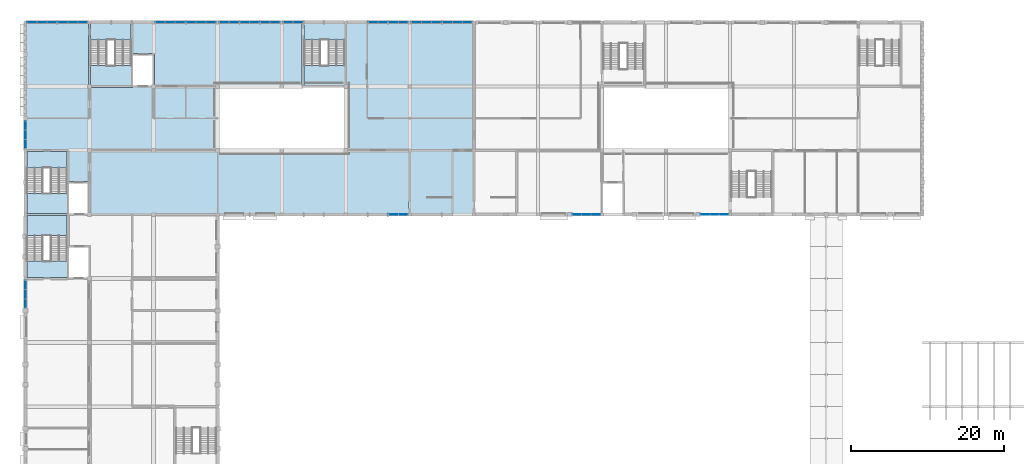
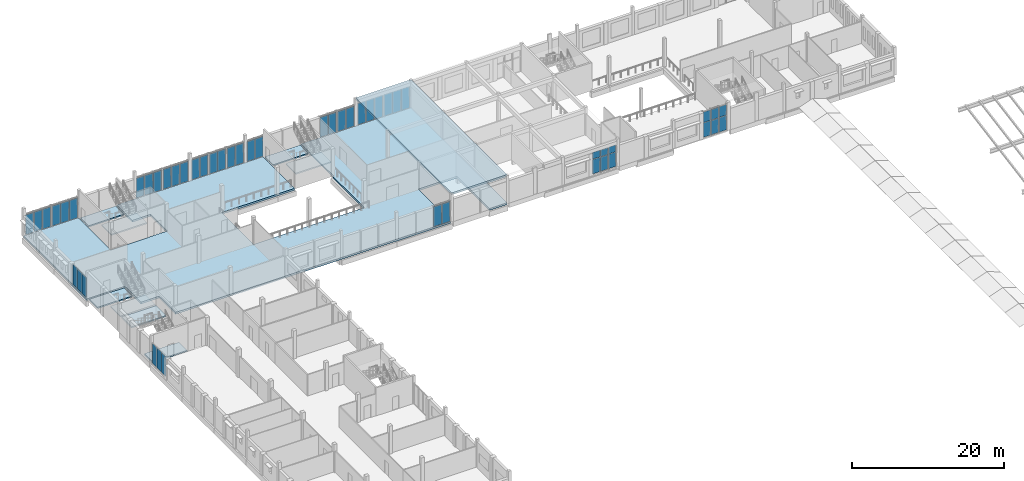
# One storey, part 21 of 38: 50 plates, 10 slabs, 21 elements without a shape of their own.
"""IFC4 building model written with IfcOpenShell, lengths in metres."""

from ifc_helpers import new_model, si_unit, direction, frame, origin, origin_2d, place, context, subcontext, project, spatial, polyline, rectangle, outline, extrude, material, layer, layer_set, type_object, element, aggregate, save


model = new_model("IFC4")

# Units and contexts
model_context = context("Model", 3, precision=1e-05, world=origin(), true_north=direction((0.0, 1.0)))
body_context = subcontext(model_context, "Body", "Model", "MODEL_VIEW")
ifc_project = project(units=[si_unit("LENGTHUNIT", "METRE"), si_unit("AREAUNIT", "SQUARE_METRE"), si_unit("VOLUMEUNIT", "CUBIC_METRE"), si_unit("PLANEANGLEUNIT", "RADIAN"), si_unit("MASSUNIT", "GRAM", prefix="KILO")], contexts=[model_context])

# Site, building, storey
site_placement = place(None, origin())
site = spatial("IfcSite", under=ifc_project, at=site_placement, CompositionType="ELEMENT")
building_placement = place(site_placement, origin())
building = spatial("IfcBuilding", under=site, at=building_placement, Name="Fescue Hill Polytechnic", CompositionType="ELEMENT")
storey_placement = place(building_placement, frame((0.0, 0.0, 18.0)))
storey = spatial("IfcBuildingStorey", under=building, at=storey_placement, Name="L04", CompositionType="ELEMENT", Elevation=18.0)

# Slab
ifc_material_1 = material(Name="Concrete 35 MPa", Category="concrete")
ifc_layer_1 = layer(ifc_material_1, 0.300048828125)
ifc_layer_set_1 = layer_set([ifc_layer_1], Name="Concrete 35 MPa")
slab_type_1 = type_object("IfcSlabType", Name="Floor slab 300", PredefinedType="FLOOR", material=ifc_layer_set_1)
slab_1_placement = place(storey_placement, frame((0.0, 0.0, -0.300048828125)))
element("IfcSlab", 1, at=slab_1_placement, inside=storey, type_object=slab_type_1, Name="SL-L04-V5-1", PredefinedType="FLOOR", context=body_context, shape_type="SweptSolid", body=[
    extrude(outline(polyline([(0.0, 134.39990234375), (8.27490234375, 134.39990234375), (8.27490234375, 125.875), (14.125, 125.875), (14.125, 125.89990234375), (16.89990234375, 125.89990234375), (16.89990234375, 130.300048828125), (14.125, 130.300048828125), (14.125, 134.39990234375), (36.27490234375, 134.39990234375), (36.27490234375, 126.0), (25.199951171875, 126.0), (25.199951171875, 117.60009765625), (42.0, 117.60009765625), (42.0, 125.875), (42.125, 125.875), (42.125, 134.39990234375), (58.800048828125, 134.39990234375), (58.800048828125, 109.199951171875), (56.125, 109.199951171875), (56.125, 117.72509765625), (50.27490234375, 117.72509765625), (50.27490234375, 109.199951171875), (8.5, 109.199951171875), (8.5, 113.5), (5.72509765625, 113.5), (5.72509765625, 117.72509765625), (0.0, 117.72509765625), (0.0, 134.39990234375)])), origin(), (0.0, 0.0, 1.0), 0.300048828125),
])

# Curtain wall, plates
ifc_material_2 = material(Name="Glass", Category="glass")
curtain_wall_type = type_object("IfcCurtainWallType", Name="Curtain wall structural glazing", PredefinedType="NOTDEFINED", material=ifc_material_2)
curtain_wall_1_placement = place(storey_placement, origin())
curtain_wall_1 = element("IfcCurtainWall", 2, at=curtain_wall_1_placement, inside=storey, type_object=curtain_wall_type, Name="CW-L04-V5-1", PredefinedType="NOTDEFINED")
ifc_layer_2 = layer(ifc_material_2, 0.028076171875)
ifc_layer_set_2 = layer_set([ifc_layer_2], Name="Glass")
plate_type = type_object("IfcPlateType", Name="Panel glazing 28", PredefinedType="CURTAIN_PANEL", material=ifc_layer_set_2)
plate_1_placement = place(storey_placement, frame((57.92822265625, 134.39990234375, 0.06005859375), z_axis=(0.0, 0.0, 1.0), x_axis=(-1.0, 0.0, 0.0)))
plate_1 = element("IfcPlate", 3, at=plate_1_placement, type_object=plate_type, Name="CW82 panel 1.1", PredefinedType="CURTAIN_PANEL", context=body_context, shape_type="SweptSolid", body=[
    extrude(rectangle(XDim=1.223388671875, YDim=0.028076171875, at=origin_2d()), origin(), (0.0, 0.0, 1.0), 3.4599609375),
])
plate_2_placement = place(storey_placement, frame((56.6298828125, 134.39990234375, 0.06005859375), z_axis=(0.0, 0.0, 1.0), x_axis=(-1.0, 0.0, 0.0)))
plate_2 = element("IfcPlate", 4, at=plate_2_placement, type_object=plate_type, Name="CW82 panel 2.1", PredefinedType="CURTAIN_PANEL", context=body_context, shape_type="SweptSolid", body=[
    extrude(rectangle(XDim=1.25341796875, YDim=0.028076171875, at=origin_2d()), origin(), (0.0, 0.0, 1.0), 3.4599609375),
])
plate_3_placement = place(storey_placement, frame((55.331787109375, 134.39990234375, 0.06005859375), z_axis=(0.0, 0.0, 1.0), x_axis=(-1.0, 0.0, 0.0)))
plate_3 = element("IfcPlate", 5, at=plate_3_placement, type_object=plate_type, Name="CW82 panel 3.1", PredefinedType="CURTAIN_PANEL", context=body_context, shape_type="SweptSolid", body=[
    extrude(rectangle(XDim=1.223388671875, YDim=0.028076171875, at=origin_2d()), origin(), (0.0, 0.0, 1.0), 3.4599609375),
])
aggregate(curtain_wall_1, [plate_1, plate_2, plate_3])

curtain_wall_2_placement = place(storey_placement, origin())
curtain_wall_2 = element("IfcCurtainWall", 6, at=curtain_wall_2_placement, inside=storey, type_object=curtain_wall_type, Name="CW-L04-V5-2", PredefinedType="NOTDEFINED")
plate_4_placement = place(storey_placement, frame((53.868408203125, 134.39990234375, 0.06005859375), z_axis=(0.0, 0.0, 1.0), x_axis=(-1.0, 0.0, 0.0)))
plate_4 = element("IfcPlate", 7, at=plate_4_placement, type_object=plate_type, Name="CW83 panel 1.1", PredefinedType="CURTAIN_PANEL", context=body_context, shape_type="SweptSolid", body=[
    extrude(rectangle(XDim=1.223388671875, YDim=0.028076171875, at=origin_2d()), origin(), (0.0, 0.0, 1.0), 3.4599609375),
])
plate_5_placement = place(storey_placement, frame((52.570068359375, 134.39990234375, 0.06005859375), z_axis=(0.0, 0.0, 1.0), x_axis=(-1.0, 0.0, 0.0)))
plate_5 = element("IfcPlate", 8, at=plate_5_placement, type_object=plate_type, Name="CW83 panel 2.1", PredefinedType="CURTAIN_PANEL", context=body_context, shape_type="SweptSolid", body=[
    extrude(rectangle(XDim=1.25341796875, YDim=0.028076171875, at=origin_2d()), origin(), (0.0, 0.0, 1.0), 3.4599609375),
])
plate_6_placement = place(storey_placement, frame((51.271728515625, 134.39990234375, 0.06005859375), z_axis=(0.0, 0.0, 1.0), x_axis=(-1.0, 0.0, 0.0)))
plate_6 = element("IfcPlate", 9, at=plate_6_placement, type_object=plate_type, Name="CW83 panel 3.1", PredefinedType="CURTAIN_PANEL", context=body_context, shape_type="SweptSolid", body=[
    extrude(rectangle(XDim=1.223388671875, YDim=0.028076171875, at=origin_2d()), origin(), (0.0, 0.0, 1.0), 3.4599609375),
])
aggregate(curtain_wall_2, [plate_4, plate_5, plate_6])

curtain_wall_3_placement = place(storey_placement, origin())
curtain_wall_3 = element("IfcCurtainWall", 10, at=curtain_wall_3_placement, inside=storey, type_object=curtain_wall_type, Name="CW-L04-V5-3", PredefinedType="NOTDEFINED")
plate_7_placement = place(storey_placement, frame((49.533203125, 134.39990234375, 0.06005859375), z_axis=(0.0, 0.0, 1.0), x_axis=(-1.0, 0.0, 0.0)))
plate_7 = element("IfcPlate", 11, at=plate_7_placement, type_object=plate_type, Name="CW84 panel 1.1", PredefinedType="CURTAIN_PANEL", context=body_context, shape_type="SweptSolid", body=[
    extrude(rectangle(XDim=1.21337890625, YDim=0.028076171875, at=origin_2d()), origin(), (0.0, 0.0, 1.0), 3.2099609375),
])
plate_8_placement = place(storey_placement, frame((48.260009765625, 134.39990234375, 0.06005859375), z_axis=(0.0, 0.0, 1.0), x_axis=(-1.0, 0.0, 0.0)))
plate_8 = element("IfcPlate", 12, at=plate_8_placement, type_object=plate_type, Name="CW84 panel 2.1", PredefinedType="CURTAIN_PANEL", context=body_context, shape_type="SweptSolid", body=[
    extrude(rectangle(XDim=1.21337890625, YDim=0.028076171875, at=origin_2d()), origin(), (0.0, 0.0, 1.0), 3.2099609375),
])
aggregate(curtain_wall_3, [plate_7, plate_8])

curtain_wall_4_placement = place(storey_placement, origin())
curtain_wall_4 = element("IfcCurtainWall", 13, at=curtain_wall_4_placement, inside=storey, type_object=curtain_wall_type, Name="CW-L04-V5-4", PredefinedType="NOTDEFINED")
plate_9_placement = place(storey_placement, frame((46.821533203125, 134.39990234375, 0.06005859375), z_axis=(0.0, 0.0, 1.0), x_axis=(-1.0, 0.0, 0.0)))
plate_9 = element("IfcPlate", 14, at=plate_9_placement, type_object=plate_type, Name="CW85 panel 1.1", PredefinedType="CURTAIN_PANEL", context=body_context, shape_type="SweptSolid", body=[
    extrude(rectangle(XDim=1.183349609375, YDim=0.028076171875, at=origin_2d()), origin(), (0.0, 0.0, 1.0), 3.2099609375),
])
plate_10_placement = place(storey_placement, frame((45.578369140625, 134.39990234375, 0.06005859375), z_axis=(0.0, 0.0, 1.0), x_axis=(-1.0, 0.0, 0.0)))
plate_10 = element("IfcPlate", 15, at=plate_10_placement, type_object=plate_type, Name="CW85 panel 2.1", PredefinedType="CURTAIN_PANEL", context=body_context, shape_type="SweptSolid", body=[
    extrude(rectangle(XDim=1.183349609375, YDim=0.028076171875, at=origin_2d()), origin(), (0.0, 0.0, 1.0), 3.2099609375),
])
aggregate(curtain_wall_4, [plate_9, plate_10])

curtain_wall_5_placement = place(storey_placement, origin())
curtain_wall_5 = element("IfcCurtainWall", 16, at=curtain_wall_5_placement, inside=storey, type_object=curtain_wall_type, Name="CW-L04-V5-5", PredefinedType="NOTDEFINED")
plate_11_placement = place(storey_placement, frame((32.7333984375, 134.39990234375, 0.06005859375), z_axis=(0.0, 0.0, 1.0), x_axis=(-1.0, 0.0, 0.0)))
plate_11 = element("IfcPlate", 17, at=plate_11_placement, type_object=plate_type, Name="CW86 panel 1.1", PredefinedType="CURTAIN_PANEL", context=body_context, shape_type="SweptSolid", body=[
    extrude(rectangle(XDim=1.21337890625, YDim=0.028076171875, at=origin_2d()), origin(), (0.0, 0.0, 1.0), 3.2099609375),
])
plate_12_placement = place(storey_placement, frame((31.4599609375, 134.39990234375, 0.06005859375), z_axis=(0.0, 0.0, 1.0), x_axis=(-1.0, 0.0, 0.0)))
plate_12 = element("IfcPlate", 18, at=plate_12_placement, type_object=plate_type, Name="CW86 panel 2.1", PredefinedType="CURTAIN_PANEL", context=body_context, shape_type="SweptSolid", body=[
    extrude(rectangle(XDim=1.21337890625, YDim=0.028076171875, at=origin_2d()), origin(), (0.0, 0.0, 1.0), 3.2099609375),
])
aggregate(curtain_wall_5, [plate_11, plate_12])

curtain_wall_6_placement = place(storey_placement, origin())
curtain_wall_6 = element("IfcCurtainWall", 19, at=curtain_wall_6_placement, inside=storey, type_object=curtain_wall_type, Name="CW-L04-V5-6", PredefinedType="NOTDEFINED")
plate_13_placement = place(storey_placement, frame((30.021728515625, 134.39990234375, 0.06005859375), z_axis=(0.0, 0.0, 1.0), x_axis=(-1.0, 0.0, 0.0)))
plate_13 = element("IfcPlate", 20, at=plate_13_placement, type_object=plate_type, Name="CW87 panel 1.1", PredefinedType="CURTAIN_PANEL", context=body_context, shape_type="SweptSolid", body=[
    extrude(rectangle(XDim=1.183349609375, YDim=0.028076171875, at=origin_2d()), origin(), (0.0, 0.0, 1.0), 3.2099609375),
])
plate_14_placement = place(storey_placement, frame((28.7783203125, 134.39990234375, 0.06005859375), z_axis=(0.0, 0.0, 1.0), x_axis=(-1.0, 0.0, 0.0)))
plate_14 = element("IfcPlate", 21, at=plate_14_placement, type_object=plate_type, Name="CW87 panel 2.1", PredefinedType="CURTAIN_PANEL", context=body_context, shape_type="SweptSolid", body=[
    extrude(rectangle(XDim=1.183349609375, YDim=0.028076171875, at=origin_2d()), origin(), (0.0, 0.0, 1.0), 3.2099609375),
])
aggregate(curtain_wall_6, [plate_13, plate_14])

curtain_wall_7_placement = place(storey_placement, origin())
curtain_wall_7 = element("IfcCurtainWall", 22, at=curtain_wall_7_placement, inside=storey, type_object=curtain_wall_type, Name="CW-L04-V5-7", PredefinedType="NOTDEFINED")
plate_15_placement = place(storey_placement, frame((27.340087890625, 134.39990234375, 0.06005859375), z_axis=(0.0, 0.0, 1.0), x_axis=(-1.0, 0.0, 0.0)))
plate_15 = element("IfcPlate", 23, at=plate_15_placement, type_object=plate_type, Name="CW88 panel 1.1", PredefinedType="CURTAIN_PANEL", context=body_context, shape_type="SweptSolid", body=[
    extrude(rectangle(XDim=1.21337890625, YDim=0.028076171875, at=origin_2d()), origin(), (0.0, 0.0, 1.0), 3.2099609375),
])
plate_16_placement = place(storey_placement, frame((26.066650390625, 134.39990234375, 0.06005859375), z_axis=(0.0, 0.0, 1.0), x_axis=(-1.0, 0.0, 0.0)))
plate_16 = element("IfcPlate", 24, at=plate_16_placement, type_object=plate_type, Name="CW88 panel 2.1", PredefinedType="CURTAIN_PANEL", context=body_context, shape_type="SweptSolid", body=[
    extrude(rectangle(XDim=1.21337890625, YDim=0.028076171875, at=origin_2d()), origin(), (0.0, 0.0, 1.0), 3.2099609375),
])
aggregate(curtain_wall_7, [plate_15, plate_16])

curtain_wall_8_placement = place(storey_placement, origin())
curtain_wall_8 = element("IfcCurtainWall", 25, at=curtain_wall_8_placement, inside=storey, type_object=curtain_wall_type, Name="CW-L04-V5-8", PredefinedType="NOTDEFINED")
plate_17_placement = place(storey_placement, frame((24.328369140625, 134.39990234375, 0.06005859375), z_axis=(0.0, 0.0, 1.0), x_axis=(-1.0, 0.0, 0.0)))
plate_17 = element("IfcPlate", 26, at=plate_17_placement, type_object=plate_type, Name="CW89 panel 1.1", PredefinedType="CURTAIN_PANEL", context=body_context, shape_type="SweptSolid", body=[
    extrude(rectangle(XDim=1.223388671875, YDim=0.028076171875, at=origin_2d()), origin(), (0.0, 0.0, 1.0), 3.2099609375),
])
plate_18_placement = place(storey_placement, frame((23.030029296875, 134.39990234375, 0.06005859375), z_axis=(0.0, 0.0, 1.0), x_axis=(-1.0, 0.0, 0.0)))
plate_18 = element("IfcPlate", 27, at=plate_18_placement, type_object=plate_type, Name="CW89 panel 2.1", PredefinedType="CURTAIN_PANEL", context=body_context, shape_type="SweptSolid", body=[
    extrude(rectangle(XDim=1.25341796875, YDim=0.028076171875, at=origin_2d()), origin(), (0.0, 0.0, 1.0), 3.2099609375),
])
plate_19_placement = place(storey_placement, frame((21.731689453125, 134.39990234375, 0.06005859375), z_axis=(0.0, 0.0, 1.0), x_axis=(-1.0, 0.0, 0.0)))
plate_19 = element("IfcPlate", 28, at=plate_19_placement, type_object=plate_type, Name="CW89 panel 3.1", PredefinedType="CURTAIN_PANEL", context=body_context, shape_type="SweptSolid", body=[
    extrude(rectangle(XDim=1.223388671875, YDim=0.028076171875, at=origin_2d()), origin(), (0.0, 0.0, 1.0), 3.2099609375),
])
aggregate(curtain_wall_8, [plate_17, plate_18, plate_19])

curtain_wall_9_placement = place(storey_placement, origin())
curtain_wall_9 = element("IfcCurtainWall", 29, at=curtain_wall_9_placement, inside=storey, type_object=curtain_wall_type, Name="CW-L04-V5-9", PredefinedType="NOTDEFINED")
plate_20_placement = place(storey_placement, frame((20.268310546875, 134.39990234375, 0.06005859375), z_axis=(0.0, 0.0, 1.0), x_axis=(-1.0, 0.0, 0.0)))
plate_20 = element("IfcPlate", 30, at=plate_20_placement, type_object=plate_type, Name="CW90 panel 1.1", PredefinedType="CURTAIN_PANEL", context=body_context, shape_type="SweptSolid", body=[
    extrude(rectangle(XDim=1.223388671875, YDim=0.028076171875, at=origin_2d()), origin(), (0.0, 0.0, 1.0), 3.2099609375),
])
plate_21_placement = place(storey_placement, frame((18.969970703125, 134.39990234375, 0.06005859375), z_axis=(0.0, 0.0, 1.0), x_axis=(-1.0, 0.0, 0.0)))
plate_21 = element("IfcPlate", 31, at=plate_21_placement, type_object=plate_type, Name="CW90 panel 2.1", PredefinedType="CURTAIN_PANEL", context=body_context, shape_type="SweptSolid", body=[
    extrude(rectangle(XDim=1.25341796875, YDim=0.028076171875, at=origin_2d()), origin(), (0.0, 0.0, 1.0), 3.2099609375),
])
plate_22_placement = place(storey_placement, frame((17.671630859375, 134.39990234375, 0.06005859375), z_axis=(0.0, 0.0, 1.0), x_axis=(-1.0, 0.0, 0.0)))
plate_22 = element("IfcPlate", 32, at=plate_22_placement, type_object=plate_type, Name="CW90 panel 3.1", PredefinedType="CURTAIN_PANEL", context=body_context, shape_type="SweptSolid", body=[
    extrude(rectangle(XDim=1.223388671875, YDim=0.028076171875, at=origin_2d()), origin(), (0.0, 0.0, 1.0), 3.2099609375),
])
aggregate(curtain_wall_9, [plate_20, plate_21, plate_22])

curtain_wall_10_placement = place(storey_placement, origin())
curtain_wall_10 = element("IfcCurtainWall", 33, at=curtain_wall_10_placement, inside=storey, type_object=curtain_wall_type, Name="CW-L04-V5-10", PredefinedType="NOTDEFINED")
plate_23_placement = place(storey_placement, frame((3.46826171875, 134.39990234375, 0.06005859375), z_axis=(0.0, 0.0, 1.0), x_axis=(-1.0, 0.0, 0.0)))
plate_23 = element("IfcPlate", 34, at=plate_23_placement, type_object=plate_type, Name="CW91 panel 1.1", PredefinedType="CURTAIN_PANEL", context=body_context, shape_type="SweptSolid", body=[
    extrude(rectangle(XDim=1.223388671875, YDim=0.028076171875, at=origin_2d()), origin(), (0.0, 0.0, 1.0), 3.2099609375),
])
plate_24_placement = place(storey_placement, frame((2.169921875, 134.39990234375, 0.06005859375), z_axis=(0.0, 0.0, 1.0), x_axis=(-1.0, 0.0, 0.0)))
plate_24 = element("IfcPlate", 35, at=plate_24_placement, type_object=plate_type, Name="CW91 panel 2.1", PredefinedType="CURTAIN_PANEL", context=body_context, shape_type="SweptSolid", body=[
    extrude(rectangle(XDim=1.25341796875, YDim=0.028076171875, at=origin_2d()), origin(), (0.0, 0.0, 1.0), 3.2099609375),
])
plate_25_placement = place(storey_placement, frame((0.87158203125, 134.39990234375, 0.06005859375), z_axis=(0.0, 0.0, 1.0), x_axis=(-1.0, 0.0, 0.0)))
plate_25 = element("IfcPlate", 36, at=plate_25_placement, type_object=plate_type, Name="CW91 panel 3.1", PredefinedType="CURTAIN_PANEL", context=body_context, shape_type="SweptSolid", body=[
    extrude(rectangle(XDim=1.223388671875, YDim=0.028076171875, at=origin_2d()), origin(), (0.0, 0.0, 1.0), 3.2099609375),
])
aggregate(curtain_wall_10, [plate_23, plate_24, plate_25])

curtain_wall_11_placement = place(storey_placement, origin())
curtain_wall_11 = element("IfcCurtainWall", 37, at=curtain_wall_11_placement, inside=storey, type_object=curtain_wall_type, Name="CW-L04-V4-X2", PredefinedType="NOTDEFINED")
plate_26_placement = place(storey_placement, frame((0.0, 99.96826171875, 0.06005859375), z_axis=(0.0, 0.0, 1.0), x_axis=(0.0, -1.0, 0.0)))
plate_26 = element("IfcPlate", 38, at=plate_26_placement, type_object=plate_type, Name="CW130 panel 1.1", PredefinedType="CURTAIN_PANEL", context=body_context, shape_type="SweptSolid", body=[
    extrude(rectangle(XDim=1.143310546875, YDim=0.028076171875, at=origin_2d()), origin(), (0.0, 0.0, 1.0), 3.2099609375),
])
plate_27_placement = place(storey_placement, frame((0.0, 98.75, 0.06005859375), z_axis=(0.0, 0.0, 1.0), x_axis=(0.0, -1.0, 0.0)))
plate_27 = element("IfcPlate", 39, at=plate_27_placement, type_object=plate_type, Name="CW130 panel 2.1", PredefinedType="CURTAIN_PANEL", context=body_context, shape_type="SweptSolid", body=[
    extrude(rectangle(XDim=1.17333984375, YDim=0.028076171875, at=origin_2d()), origin(), (0.0, 0.0, 1.0), 3.2099609375),
])
plate_28_placement = place(storey_placement, frame((0.0, 97.53173828125, 0.06005859375), z_axis=(0.0, 0.0, 1.0), x_axis=(0.0, -1.0, 0.0)))
plate_28 = element("IfcPlate", 40, at=plate_28_placement, type_object=plate_type, Name="CW130 panel 3.1", PredefinedType="CURTAIN_PANEL", context=body_context, shape_type="SweptSolid", body=[
    extrude(rectangle(XDim=1.143310546875, YDim=0.028076171875, at=origin_2d()), origin(), (0.0, 0.0, 1.0), 3.2099609375),
])
aggregate(curtain_wall_11, [plate_26, plate_27, plate_28])

curtain_wall_12_placement = place(storey_placement, origin())
curtain_wall_12 = element("IfcCurtainWall", 41, at=curtain_wall_12_placement, inside=storey, type_object=curtain_wall_type, Name="CW-L04-V5-X1", PredefinedType="NOTDEFINED")
plate_29_placement = place(storey_placement, frame((0.0, 120.868408203125, 0.06005859375), z_axis=(0.0, 0.0, 1.0), x_axis=(0.0, -1.0, 0.0)))
plate_29 = element("IfcPlate", 42, at=plate_29_placement, type_object=plate_type, Name="CW147 panel 1.1", PredefinedType="CURTAIN_PANEL", context=body_context, shape_type="SweptSolid", body=[
    extrude(rectangle(XDim=1.143310546875, YDim=0.028076171875, at=origin_2d()), origin(), (0.0, 0.0, 1.0), 3.2099609375),
])
plate_30_placement = place(storey_placement, frame((0.0, 119.64990234375, 0.06005859375), z_axis=(0.0, 0.0, 1.0), x_axis=(0.0, -1.0, 0.0)))
plate_30 = element("IfcPlate", 43, at=plate_30_placement, type_object=plate_type, Name="CW147 panel 2.1", PredefinedType="CURTAIN_PANEL", context=body_context, shape_type="SweptSolid", body=[
    extrude(rectangle(XDim=1.17333984375, YDim=0.028076171875, at=origin_2d()), origin(), (0.0, 0.0, 1.0), 3.2099609375),
])
plate_31_placement = place(storey_placement, frame((0.0, 118.431640625, 0.06005859375), z_axis=(0.0, 0.0, 1.0), x_axis=(0.0, -1.0, 0.0)))
plate_31 = element("IfcPlate", 44, at=plate_31_placement, type_object=plate_type, Name="CW147 panel 3.1", PredefinedType="CURTAIN_PANEL", context=body_context, shape_type="SweptSolid", body=[
    extrude(rectangle(XDim=1.143310546875, YDim=0.028076171875, at=origin_2d()), origin(), (0.0, 0.0, 1.0), 3.2099609375),
])
aggregate(curtain_wall_12, [plate_29, plate_30, plate_31])

curtain_wall_13_placement = place(storey_placement, origin())
curtain_wall_13 = element("IfcCurtainWall", 45, at=curtain_wall_13_placement, inside=storey, type_object=curtain_wall_type, Name="CW-L04-V5-X2", PredefinedType="NOTDEFINED")
plate_32_placement = place(storey_placement, frame((35.739990234375, 134.39990234375, 0.06005859375), z_axis=(0.0, 0.0, 1.0), x_axis=(-1.0, 0.0, 0.0)))
plate_32 = element("IfcPlate", 46, at=plate_32_placement, type_object=plate_type, Name="CW153 panel 1.1", PredefinedType="CURTAIN_PANEL", context=body_context, shape_type="SweptSolid", body=[
    extrude(rectangle(XDim=1.21337890625, YDim=0.028076171875, at=origin_2d()), origin(), (0.0, 0.0, 1.0), 3.2099609375),
])
plate_33_placement = place(storey_placement, frame((34.466796875, 134.39990234375, 0.06005859375), z_axis=(0.0, 0.0, 1.0), x_axis=(-1.0, 0.0, 0.0)))
plate_33 = element("IfcPlate", 47, at=plate_33_placement, type_object=plate_type, Name="CW153 panel 2.1", PredefinedType="CURTAIN_PANEL", context=body_context, shape_type="SweptSolid", body=[
    extrude(rectangle(XDim=1.21337890625, YDim=0.028076171875, at=origin_2d()), origin(), (0.0, 0.0, 1.0), 3.2099609375),
])
aggregate(curtain_wall_13, [plate_32, plate_33])

curtain_wall_14_placement = place(storey_placement, origin())
curtain_wall_14 = element("IfcCurtainWall", 48, at=curtain_wall_14_placement, inside=storey, type_object=curtain_wall_type, Name="CW-L04-V5-X3", PredefinedType="NOTDEFINED")
plate_34_placement = place(storey_placement, frame((7.5283203125, 134.39990234375, 0.06005859375), z_axis=(0.0, 0.0, 1.0), x_axis=(-1.0, 0.0, 0.0)))
plate_34 = element("IfcPlate", 49, at=plate_34_placement, type_object=plate_type, Name="CW159 panel 1.1", PredefinedType="CURTAIN_PANEL", context=body_context, shape_type="SweptSolid", body=[
    extrude(rectangle(XDim=1.223388671875, YDim=0.028076171875, at=origin_2d()), origin(), (0.0, 0.0, 1.0), 3.2099609375),
])
plate_35_placement = place(storey_placement, frame((6.22998046875, 134.39990234375, 0.06005859375), z_axis=(0.0, 0.0, 1.0), x_axis=(-1.0, 0.0, 0.0)))
plate_35 = element("IfcPlate", 50, at=plate_35_placement, type_object=plate_type, Name="CW159 panel 2.1", PredefinedType="CURTAIN_PANEL", context=body_context, shape_type="SweptSolid", body=[
    extrude(rectangle(XDim=1.25341796875, YDim=0.028076171875, at=origin_2d()), origin(), (0.0, 0.0, 1.0), 3.2099609375),
])
plate_36_placement = place(storey_placement, frame((4.931640625, 134.39990234375, 0.06005859375), z_axis=(0.0, 0.0, 1.0), x_axis=(-1.0, 0.0, 0.0)))
plate_36 = element("IfcPlate", 51, at=plate_36_placement, type_object=plate_type, Name="CW159 panel 3.1", PredefinedType="CURTAIN_PANEL", context=body_context, shape_type="SweptSolid", body=[
    extrude(rectangle(XDim=1.223388671875, YDim=0.028076171875, at=origin_2d()), origin(), (0.0, 0.0, 1.0), 3.2099609375),
])
aggregate(curtain_wall_14, [plate_34, plate_35, plate_36])

curtain_wall_15_placement = place(storey_placement, origin())
curtain_wall_15 = element("IfcCurtainWall", 52, at=curtain_wall_15_placement, inside=storey, type_object=curtain_wall_type, Name="CW-L04-V5-X4", PredefinedType="NOTDEFINED")
plate_37_placement = place(storey_placement, frame((48.260009765625, 109.199951171875, 0.06005859375), z_axis=(0.0, 0.0, 1.0), x_axis=(1.0, 0.0, 0.0)))
plate_37 = element("IfcPlate", 53, at=plate_37_placement, type_object=plate_type, Name="CW165 panel 1.1", PredefinedType="CURTAIN_PANEL", context=body_context, shape_type="SweptSolid", body=[
    extrude(rectangle(XDim=1.21337890625, YDim=0.028076171875, at=origin_2d()), origin(), (0.0, 0.0, 1.0), 3.2099609375),
])
plate_38_placement = place(storey_placement, frame((49.533203125, 109.199951171875, 0.06005859375), z_axis=(0.0, 0.0, 1.0), x_axis=(1.0, 0.0, 0.0)))
plate_38 = element("IfcPlate", 54, at=plate_38_placement, type_object=plate_type, Name="CW165 panel 2.1", PredefinedType="CURTAIN_PANEL", context=body_context, shape_type="SweptSolid", body=[
    extrude(rectangle(XDim=1.21337890625, YDim=0.028076171875, at=origin_2d()), origin(), (0.0, 0.0, 1.0), 3.2099609375),
])
aggregate(curtain_wall_15, [plate_37, plate_38])

curtain_wall_16_placement = place(storey_placement, origin())
curtain_wall_16 = element("IfcCurtainWall", 55, at=curtain_wall_16_placement, inside=storey, type_object=curtain_wall_type, Name="CW-L04-V4b-X2", PredefinedType="NOTDEFINED")
plate_39_placement = place(storey_placement, frame((89.131591796875, 109.199951171875, 0.06005859375), z_axis=(0.0, 0.0, 1.0), x_axis=(1.0, 0.0, 0.0)))
plate_39 = element("IfcPlate", 56, at=plate_39_placement, type_object=plate_type, Name="CW172 panel 1.1", PredefinedType="CURTAIN_PANEL", context=body_context, shape_type="SweptSolid", body=[
    extrude(rectangle(XDim=1.143310546875, YDim=0.028076171875, at=origin_2d()), origin(), (0.0, 0.0, 1.0), 2.31005859375),
])
plate_40_placement = place(storey_placement, frame((89.131591796875, 109.199951171875, 2.429931640625), z_axis=(0.0, 0.0, 1.0), x_axis=(1.0, 0.0, 0.0)))
plate_40 = element("IfcPlate", 57, at=plate_40_placement, type_object=plate_type, Name="CW172 panel 1.2", PredefinedType="CURTAIN_PANEL", context=body_context, shape_type="SweptSolid", body=[
    extrude(rectangle(XDim=1.143310546875, YDim=0.028076171875, at=origin_2d()), origin(), (0.0, 0.0, 1.0), 1.68994140625),
])
plate_41_placement = place(storey_placement, frame((90.35009765625, 109.199951171875, 0.06005859375), z_axis=(0.0, 0.0, 1.0), x_axis=(1.0, 0.0, 0.0)))
plate_41 = element("IfcPlate", 58, at=plate_41_placement, type_object=plate_type, Name="CW172 panel 2.1", PredefinedType="CURTAIN_PANEL", context=body_context, shape_type="SweptSolid", body=[
    extrude(rectangle(XDim=1.17333984375, YDim=0.028076171875, at=origin_2d()), origin(), (0.0, 0.0, 1.0), 2.31005859375),
])
plate_42_placement = place(storey_placement, frame((90.35009765625, 109.199951171875, 2.429931640625), z_axis=(0.0, 0.0, 1.0), x_axis=(1.0, 0.0, 0.0)))
plate_42 = element("IfcPlate", 59, at=plate_42_placement, type_object=plate_type, Name="CW172 panel 2.2", PredefinedType="CURTAIN_PANEL", context=body_context, shape_type="SweptSolid", body=[
    extrude(rectangle(XDim=1.17333984375, YDim=0.028076171875, at=origin_2d()), origin(), (0.0, 0.0, 1.0), 1.68994140625),
])
plate_43_placement = place(storey_placement, frame((91.568359375, 109.199951171875, 0.06005859375), z_axis=(0.0, 0.0, 1.0), x_axis=(1.0, 0.0, 0.0)))
plate_43 = element("IfcPlate", 60, at=plate_43_placement, type_object=plate_type, Name="CW172 panel 3.1", PredefinedType="CURTAIN_PANEL", context=body_context, shape_type="SweptSolid", body=[
    extrude(rectangle(XDim=1.143310546875, YDim=0.028076171875, at=origin_2d()), origin(), (0.0, 0.0, 1.0), 2.31005859375),
])
plate_44_placement = place(storey_placement, frame((91.568359375, 109.199951171875, 2.429931640625), z_axis=(0.0, 0.0, 1.0), x_axis=(1.0, 0.0, 0.0)))
plate_44 = element("IfcPlate", 61, at=plate_44_placement, type_object=plate_type, Name="CW172 panel 3.2", PredefinedType="CURTAIN_PANEL", context=body_context, shape_type="SweptSolid", body=[
    extrude(rectangle(XDim=1.143310546875, YDim=0.028076171875, at=origin_2d()), origin(), (0.0, 0.0, 1.0), 1.68994140625),
])
aggregate(curtain_wall_16, [plate_39, plate_40, plate_41, plate_42, plate_43, plate_44])

curtain_wall_17_placement = place(storey_placement, origin())
curtain_wall_17 = element("IfcCurtainWall", 62, at=curtain_wall_17_placement, inside=storey, type_object=curtain_wall_type, Name="CW-L04-V4b-X4", PredefinedType="NOTDEFINED")
plate_45_placement = place(storey_placement, frame((72.331787109375, 109.199951171875, 0.06005859375), z_axis=(0.0, 0.0, 1.0), x_axis=(1.0, 0.0, 0.0)))
plate_45 = element("IfcPlate", 63, at=plate_45_placement, type_object=plate_type, Name="CW178 panel 1.1", PredefinedType="CURTAIN_PANEL", context=body_context, shape_type="SweptSolid", body=[
    extrude(rectangle(XDim=1.143310546875, YDim=0.028076171875, at=origin_2d()), origin(), (0.0, 0.0, 1.0), 2.31005859375),
])
plate_46_placement = place(storey_placement, frame((72.331787109375, 109.199951171875, 2.43017578125), z_axis=(0.0, 0.0, 1.0), x_axis=(1.0, 0.0, 0.0)))
plate_46 = element("IfcPlate", 64, at=plate_46_placement, type_object=plate_type, Name="CW178 panel 1.2", PredefinedType="CURTAIN_PANEL", context=body_context, shape_type="SweptSolid", body=[
    extrude(rectangle(XDim=1.143310546875, YDim=0.028076171875, at=origin_2d()), origin(), (0.0, 0.0, 1.0), 1.090087890625),
])
plate_47_placement = place(storey_placement, frame((73.550048828125, 109.199951171875, 0.06005859375), z_axis=(0.0, 0.0, 1.0), x_axis=(1.0, 0.0, 0.0)))
plate_47 = element("IfcPlate", 65, at=plate_47_placement, type_object=plate_type, Name="CW178 panel 2.1", PredefinedType="CURTAIN_PANEL", context=body_context, shape_type="SweptSolid", body=[
    extrude(rectangle(XDim=1.17333984375, YDim=0.028076171875, at=origin_2d()), origin(), (0.0, 0.0, 1.0), 2.31005859375),
])
plate_48_placement = place(storey_placement, frame((73.550048828125, 109.199951171875, 2.43017578125), z_axis=(0.0, 0.0, 1.0), x_axis=(1.0, 0.0, 0.0)))
plate_48 = element("IfcPlate", 66, at=plate_48_placement, type_object=plate_type, Name="CW178 panel 2.2", PredefinedType="CURTAIN_PANEL", context=body_context, shape_type="SweptSolid", body=[
    extrude(rectangle(XDim=1.17333984375, YDim=0.028076171875, at=origin_2d()), origin(), (0.0, 0.0, 1.0), 1.090087890625),
])
plate_49_placement = place(storey_placement, frame((74.768310546875, 109.199951171875, 0.06005859375), z_axis=(0.0, 0.0, 1.0), x_axis=(1.0, 0.0, 0.0)))
plate_49 = element("IfcPlate", 67, at=plate_49_placement, type_object=plate_type, Name="CW178 panel 3.1", PredefinedType="CURTAIN_PANEL", context=body_context, shape_type="SweptSolid", body=[
    extrude(rectangle(XDim=1.143310546875, YDim=0.028076171875, at=origin_2d()), origin(), (0.0, 0.0, 1.0), 2.31005859375),
])
plate_50_placement = place(storey_placement, frame((74.768310546875, 109.199951171875, 2.43017578125), z_axis=(0.0, 0.0, 1.0), x_axis=(1.0, 0.0, 0.0)))
plate_50 = element("IfcPlate", 68, at=plate_50_placement, type_object=plate_type, Name="CW178 panel 3.2", PredefinedType="CURTAIN_PANEL", context=body_context, shape_type="SweptSolid", body=[
    extrude(rectangle(XDim=1.143310546875, YDim=0.028076171875, at=origin_2d()), origin(), (0.0, 0.0, 1.0), 1.090087890625),
])
aggregate(curtain_wall_17, [plate_45, plate_46, plate_47, plate_48, plate_49, plate_50])

# Slab
ifc_layer_3 = layer(ifc_material_1, 0.300048828125)
ifc_layer_set_3 = layer_set([ifc_layer_3], Name="Concrete 35 MPa")
slab_type_2 = type_object("IfcSlabType", Name="Roof slab 300", PredefinedType="ROOF", material=ifc_layer_set_3)
slab_2_placement = place(storey_placement, frame((0.0, 0.0, 4.199951171875)))
element("IfcSlab", 69, at=slab_2_placement, inside=storey, type_object=slab_type_2, Name="RF-L04-V5-1", PredefinedType="ROOF", context=body_context, shape_type="SweptSolid", body=[
    extrude(outline(polyline([(58.800048828125, 109.199951171875), (50.39990234375, 109.199951171875), (50.39990234375, 134.39990234375), (58.800048828125, 134.39990234375), (58.800048828125, 109.199951171875)])), origin(), (0.0, 0.0, 1.0), 0.300048828125),
])

# Stair, slabs
stair_type = type_object("IfcStairType", Name="Half-turn stair 2150 flights", PredefinedType="HALF_TURN_STAIR", material=ifc_material_1)
stair_1_placement = place(storey_placement, origin())
stair_1 = element("IfcStair", 70, at=stair_1_placement, inside=storey, type_object=stair_type, Name="L04 ST-V4-2 stair", PredefinedType="HALF_TURN_STAIR")
ifc_layer_4 = layer(ifc_material_1, 0.199951171875)
ifc_layer_set_4 = layer_set([ifc_layer_4], Name="Concrete 35 MPa")
slab_type_3 = type_object("IfcSlabType", Name="Stair landing slab 200", PredefinedType="LANDING", material=ifc_layer_set_4)
slab_3_placement = place(storey_placement, frame((0.0, 0.0, 2.050048828125)))
slab_3 = element("IfcSlab", 71, at=slab_3_placement, type_object=slab_type_3, Name="S16 landing 1", PredefinedType="LANDING", context=body_context, shape_type="SweptSolid", body=[
    extrude(outline(polyline([(0.22509765625, 106.43505859375), (5.47509765625, 106.43505859375), (5.47509765625, 109.074951171875), (0.22509765625, 109.074951171875), (0.22509765625, 106.43505859375)])), origin(), (0.0, 0.0, 1.0), 0.199951171875),
])
slab_4_placement = place(storey_placement, frame((0.0, 0.0, -0.199951171875)))
slab_4 = element("IfcSlab", 72, at=slab_4_placement, type_object=slab_type_3, Name="S16 landing 2", PredefinedType="LANDING", context=body_context, shape_type="SweptSolid", body=[
    extrude(outline(polyline([(0.22509765625, 100.925048828125), (5.5, 100.925048828125), (5.5, 103.074951171875), (0.22509765625, 103.074951171875), (0.22509765625, 100.925048828125)])), origin(), (0.0, 0.0, 1.0), 0.199951171875),
])
aggregate(stair_1, [slab_3, slab_4])

stair_2_placement = place(storey_placement, origin())
stair_2 = element("IfcStair", 73, at=stair_2_placement, inside=storey, type_object=stair_type, Name="L04 ST-V5-1 stair", PredefinedType="HALF_TURN_STAIR")
slab_5_placement = place(storey_placement, frame((0.0, 0.0, 2.050048828125)))
slab_5 = element("IfcSlab", 74, at=slab_5_placement, type_object=slab_type_3, Name="S18 landing 1", PredefinedType="LANDING", context=body_context, shape_type="SweptSolid", body=[
    extrude(outline(polyline([(0.2099609375, 109.324951171875), (5.5, 109.324951171875), (5.5, 111.965087890625), (0.2099609375, 111.965087890625), (0.2099609375, 109.324951171875)])), origin(), (0.0, 0.0, 1.0), 0.199951171875),
])
slab_6_placement = place(storey_placement, frame((0.0, 0.0, -0.199951171875)))
slab_6 = element("IfcSlab", 75, at=slab_6_placement, type_object=slab_type_3, Name="S18 landing 2", PredefinedType="LANDING", context=body_context, shape_type="SweptSolid", body=[
    extrude(outline(polyline([(0.2099609375, 115.324951171875), (5.47509765625, 115.324951171875), (5.47509765625, 117.47509765625), (0.2099609375, 117.47509765625), (0.2099609375, 115.324951171875)])), origin(), (0.0, 0.0, 1.0), 0.199951171875),
])
aggregate(stair_2, [slab_5, slab_6])

stair_3_placement = place(storey_placement, origin())
stair_3 = element("IfcStair", 76, at=stair_3_placement, inside=storey, type_object=stair_type, Name="L04 ST-V5-2 stair", PredefinedType="HALF_TURN_STAIR")
slab_7_placement = place(storey_placement, frame((0.0, 0.0, 2.050048828125)))
slab_7 = element("IfcSlab", 77, at=slab_7_placement, type_object=slab_type_3, Name="S19 landing 1", PredefinedType="LANDING", context=body_context, shape_type="SweptSolid", body=[
    extrude(outline(polyline([(36.52490234375, 126.125), (41.875, 126.125), (41.875, 128.739990234375), (36.52490234375, 128.739990234375), (36.52490234375, 126.125)])), origin(), (0.0, 0.0, 1.0), 0.199951171875),
])
slab_8_placement = place(storey_placement, frame((0.0, 0.0, -0.199951171875)))
slab_8 = element("IfcSlab", 78, at=slab_8_placement, type_object=slab_type_3, Name="S19 landing 2", PredefinedType="LANDING", context=body_context, shape_type="SweptSolid", body=[
    extrude(outline(polyline([(36.52490234375, 132.10009765625), (41.875, 132.10009765625), (41.875, 134.25), (36.52490234375, 134.25), (36.52490234375, 132.10009765625)])), origin(), (0.0, 0.0, 1.0), 0.199951171875),
])
aggregate(stair_3, [slab_7, slab_8])

stair_4_placement = place(storey_placement, origin())
stair_4 = element("IfcStair", 79, at=stair_4_placement, inside=storey, type_object=stair_type, Name="L04 ST-V5-3 stair", PredefinedType="HALF_TURN_STAIR")
slab_9_placement = place(storey_placement, frame((0.0, 0.0, 2.050048828125)))
slab_9 = element("IfcSlab", 80, at=slab_9_placement, type_object=slab_type_3, Name="S20 landing 1", PredefinedType="LANDING", context=body_context, shape_type="SweptSolid", body=[
    extrude(outline(polyline([(8.52490234375, 126.125), (13.89990234375, 126.125), (13.89990234375, 128.739990234375), (8.52490234375, 128.739990234375), (8.52490234375, 126.125)])), origin(), (0.0, 0.0, 1.0), 0.199951171875),
])
slab_10_placement = place(storey_placement, frame((0.0, 0.0, -0.199951171875)))
slab_10 = element("IfcSlab", 81, at=slab_10_placement, type_object=slab_type_3, Name="S20 landing 2", PredefinedType="LANDING", context=body_context, shape_type="SweptSolid", body=[
    extrude(outline(polyline([(8.52490234375, 132.10009765625), (13.875, 132.10009765625), (13.875, 134.25), (8.52490234375, 134.25), (8.52490234375, 132.10009765625)])), origin(), (0.0, 0.0, 1.0), 0.199951171875),
])
aggregate(stair_4, [slab_9, slab_10])

save(model, "model.ifc")
